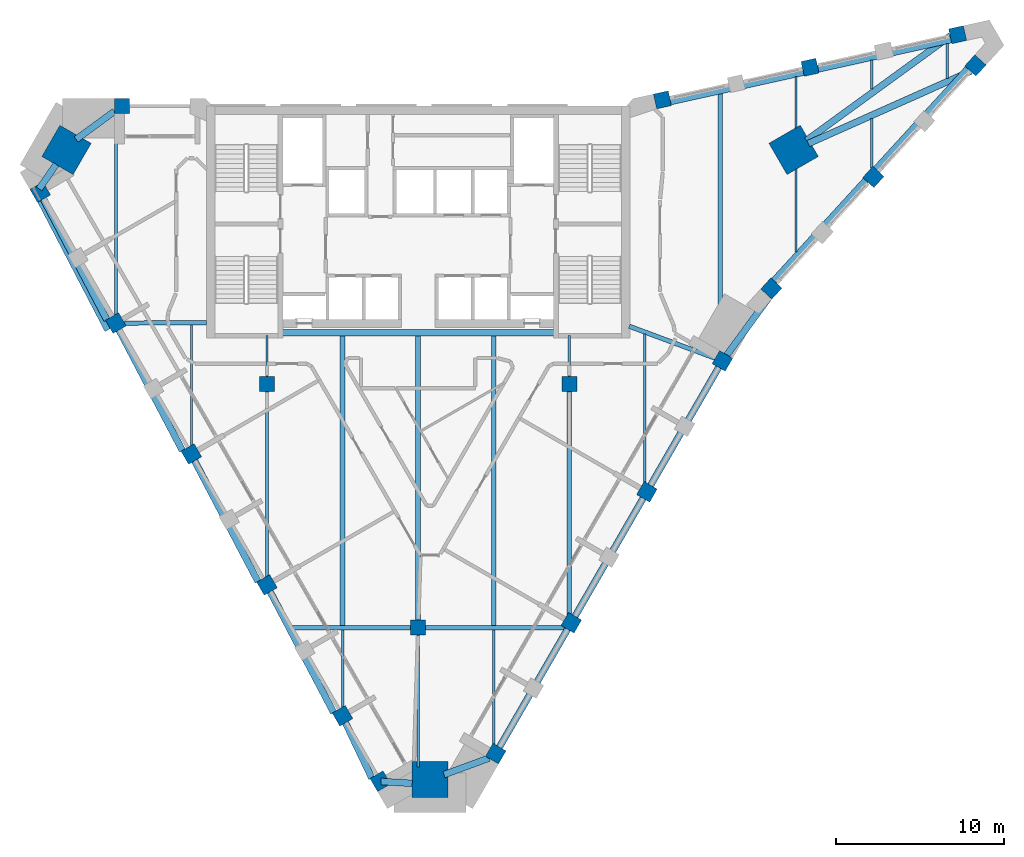
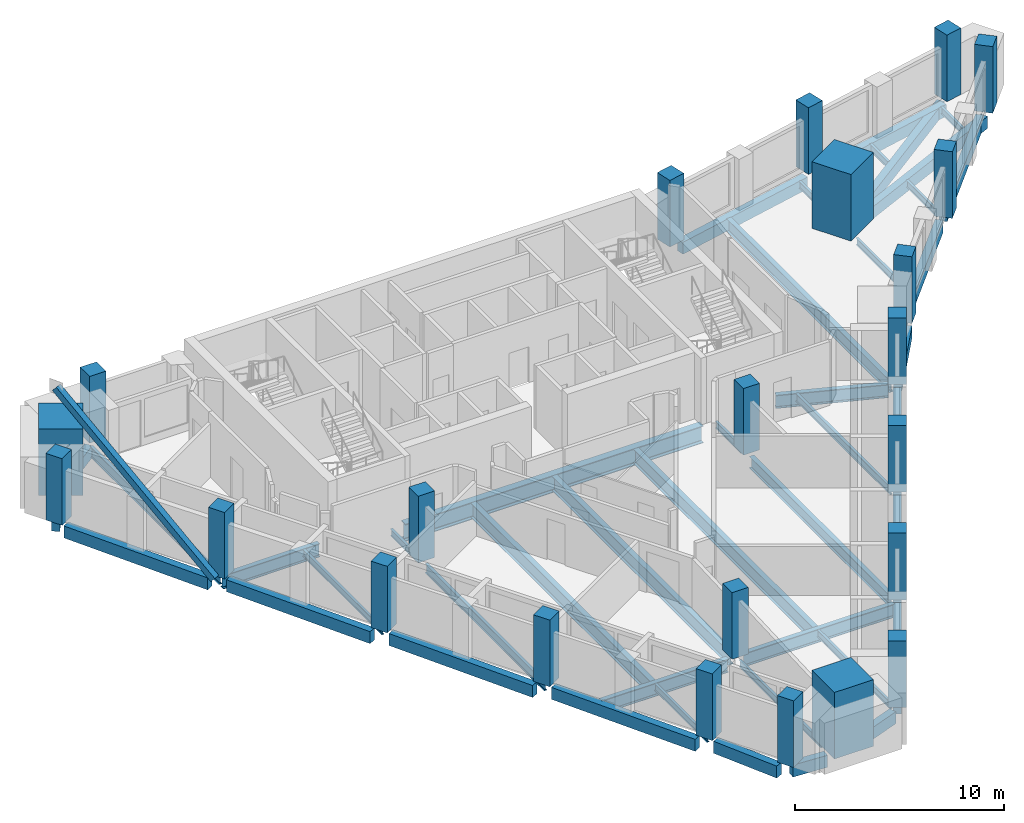
# One storey, part 1 of 8: 43 beams, 23 columns, 1 member.
"""IFC4 building model written with IfcOpenShell, lengths in metres."""

from ifc_helpers import new_model, si_unit, direction, frame, origin, origin_2d, place, context, subcontext, project, spatial, rectangle, hollow_rectangle, i_section, extrude, material, material_profile, profile_set, type_object, element, save


model = new_model("IFC4")

# Units and contexts
model_context = context("Model", 3, precision=1e-05, world=origin(), true_north=direction((0.0, 1.0)))
body_context = subcontext(model_context, "Body", "Model", "MODEL_VIEW")
ifc_project = project(units=[si_unit("LENGTHUNIT", "METRE"), si_unit("AREAUNIT", "SQUARE_METRE"), si_unit("VOLUMEUNIT", "CUBIC_METRE"), si_unit("PLANEANGLEUNIT", "RADIAN"), si_unit("MASSUNIT", "GRAM", prefix="KILO")], contexts=[model_context])

# Site, building, storey
site_placement = place(None, origin())
site = spatial("IfcSite", under=ifc_project, at=site_placement, CompositionType="ELEMENT")
building_placement = place(site_placement, origin())
building = spatial("IfcBuilding", under=site, at=building_placement, Name="Calabash Gate Tower", CompositionType="ELEMENT")
storey_placement = place(building_placement, frame((0.0, 0.0, 279.39990234375)))
storey = spatial("IfcBuildingStorey", under=building, at=storey_placement, Name="L67", CompositionType="ELEMENT", Elevation=279.39990234375)

# Columns
ifc_material_1 = material(Name="Concrete C60/75", Category="concrete")
ifc_material_profile_1 = material_profile(ifc_material_1, rectangle(XDim=0.89990234375, YDim=0.89990234375, at=origin_2d()))
ifc_profile_set_1 = profile_set([ifc_material_profile_1], Name="Concrete C60/75")
column_type_1 = type_object("IfcColumnType", Name="Interior column RC 900x900 Concrete C60/75", PredefinedType="COLUMN", material=ifc_profile_set_1)
for number, where, z_axis, x_axis, name in (
    (1, (-9.0, 2.5, 0.0), (0.0, 0.0, 1.0), (1.0, 0.0, 0.0), "Interior column L67 I0"),
    (2, (9.0, 2.5, 0.0), (0.0, 0.0, 1.0), (1.0, 0.0, 0.0), "Interior column L67 I1"),
    (3, (0.0, -12.0, 0.0), (0.0, 0.0, 1.0), (1.0, 0.0, 0.0), "Interior column L67 I2"),
):
    element("IfcColumn", number, at=place(storey_placement, frame(where, z_axis=z_axis, x_axis=x_axis)), inside=storey, type_object=column_type_1, Name=name, PredefinedType="COLUMN", context=body_context, shape_type="SweptSolid", body=[
        extrude(rectangle(XDim=0.89990234375, YDim=0.89990234375, at=origin_2d()), origin(), (0.0, 0.0, 1.0), 3.900146484375),
    ])
ifc_material_2 = material(Name="Concrete C60/75", Category="concrete")
ifc_material_profile_2 = material_profile(ifc_material_2, rectangle(XDim=2.14990234375, YDim=2.14990234375, at=origin_2d()))
ifc_profile_set_2 = profile_set([ifc_material_profile_2], Name="Concrete C60/75")
column_type_2 = type_object("IfcColumnType", Name="Mega column RC 2150x2150 Concrete C60/75", PredefinedType="COLUMN", material=ifc_profile_set_2)
for number, where, z_axis, x_axis, name in (
    (4, (-20.93994140625, 16.43994140625, 0.0), (0.0, 0.0, 1.0), (0.866025403784, -0.5, 0.0), "Mega column L67 NW"),
    (5, (22.35595703125, 16.43994140625, 0.0), (0.0, 0.0, 1.0), (-0.866025403784, -0.5, 0.0), "Mega column L67 NE"),
    (6, (0.7080078125, -21.055908203125, 0.0), (0.0, 0.0, 1.0), (0.0, 1.0, 0.0), "Mega column L67 S"),
):
    element("IfcColumn", number, at=place(storey_placement, frame(where, z_axis=z_axis, x_axis=x_axis)), inside=storey, type_object=column_type_2, Name=name, PredefinedType="COLUMN", context=body_context, shape_type="SweptSolid", body=[
        extrude(rectangle(XDim=2.14990234375, YDim=2.14990234375, at=origin_2d()), origin(), (0.0, 0.0, 1.0), 3.900146484375),
    ])
ifc_material_3 = material(Name="Concrete C50/60", Category="concrete")
ifc_material_profile_3 = material_profile(ifc_material_3, rectangle(XDim=0.89990234375, YDim=0.89990234375, at=origin_2d()))
ifc_profile_set_3 = profile_set([ifc_material_profile_3], Name="Concrete C50/60")
column_type_3 = type_object("IfcColumnType", Name="Perimeter column RC 900x900 Concrete C50/60", PredefinedType="COLUMN", material=ifc_profile_set_3)
for number, where, z_axis, x_axis, name in (
    (7, (-22.50390625, 13.923095703125, 0.0), (0.0, 0.0, 1.0), (0.499999984885, -0.866025412511, 0.0), "Perimeter column L67 P20"),
    (8, (-18.00390625, 6.1279296875, 0.0), (0.0, 0.0, 1.0), (0.499999984885, -0.866025412511, 0.0), "Perimeter column L67 P00"),
    (9, (-13.50390625, -1.666015625, 0.0), (0.0, 0.0, 1.0), (0.499999984885, -0.866025412511, 0.0), "Perimeter column L67 P01"),
    (10, (-9.00390625, -9.4599609375, 0.0), (0.0, 0.0, 1.0), (0.499999984885, -0.866025412511, 0.0), "Perimeter column L67 P02"),
    (11, (-4.50390625, -17.25390625, 0.0), (0.0, 0.0, 1.0), (0.499999984885, -0.866025412511, 0.0), "Perimeter column L67 P03"),
    (12, (-2.25390625, -21.152099609375, 0.0), (0.0, 0.0, 1.0), (0.499999984885, -0.866025412511, 0.0), "Perimeter column L67 P25"),
    (13, (4.618896484375, -19.507080078125, 0.0), (0.0, 0.0, 1.0), (0.5, 0.866025403784, 0.0), "Perimeter column L67 P08"),
    (14, (9.118896484375, -11.712890625, 0.0), (0.0, 0.0, 1.0), (0.5, 0.866025403784, 0.0), "Perimeter column L67 P09"),
    (15, (13.618896484375, -3.9189453125, 0.0), (0.0, 0.0, 1.0), (0.5, 0.866025403784, 0.0), "Perimeter column L67 P10"),
    (16, (18.118896484375, 3.876953125, 0.0), (0.0, 0.0, 1.0), (0.5, 0.866025403784, 0.0), "Perimeter column L67 P11"),
    (17, (21.031005859375, 8.18701171875, 0.0), (0.0, 0.0, 1.0), (0.67485604152, 0.737949404244, 0.0), "Perimeter column L67 P12"),
    (18, (27.10400390625, 14.825927734375, 0.0), (0.0, 0.0, 1.0), (0.67485604152, 0.737949404244, 0.0), "Perimeter column L67 P36"),
    (19, (33.177978515625, 21.468017578125, 0.0), (0.0, 0.0, 1.0), (0.67485604152, 0.737949404244, 0.0), "Perimeter column L67 P37"),
    (20, (32.12109375, 23.298095703125, 0.0), (0.0, 0.0, 1.0), (-0.976510951543, -0.215467773731, 0.0), "Perimeter column L67 P38"),
    (21, (23.3330078125, 21.35888671875, 0.0), (0.0, 0.0, 1.0), (-0.976510951543, -0.215467773731, 0.0), "Perimeter column L67 P39"),
    (22, (14.5439453125, 19.4189453125, 0.0), (0.0, 0.0, 1.0), (-0.976510951543, -0.215467773731, 0.0), "Perimeter column L67 P40"),
    (23, (-17.64404296875, 19.052978515625, 0.0), (0.0, 0.0, 1.0), (-1.0, 0.0, 0.0), "Perimeter column L67 P31"),
):
    element("IfcColumn", number, at=place(storey_placement, frame(where, z_axis=z_axis, x_axis=x_axis)), inside=storey, type_object=column_type_3, Name=name, PredefinedType="COLUMN", context=body_context, shape_type="SweptSolid", body=[
        extrude(rectangle(XDim=0.89990234375, YDim=0.89990234375, at=origin_2d()), origin(), (0.0, 0.0, 1.0), 3.900146484375),
    ])

# Beams
ifc_material_4 = material(Name="Concrete C50/60", Category="concrete")
ifc_material_profile_4 = material_profile(ifc_material_4, rectangle(XDim=0.39990234375, YDim=0.699951171875, at=origin_2d()))
ifc_profile_set_4 = profile_set([ifc_material_profile_4], Name="Concrete C50/60")
beam_type_1 = type_object("IfcBeamType", Name="Edge beam RC 400x700 Concrete C50/60", PredefinedType="BEAM", material=ifc_profile_set_4)
beam_1_placement = place(storey_placement, frame((-13.322021484375, -2.052978515625, -0.52001953125), z_axis=(0.465269928033, -0.885168850597, 0.0), x_axis=(0.885168850597, 0.465269928033, 0.0)))
element("IfcBeam", 24, at=beam_1_placement, inside=storey, type_object=beam_type_1, Name="Edge beam L67 1", PredefinedType="BEAM", context=body_context, shape_type="SweptSolid", body=[
    extrude(rectangle(XDim=0.39990234375, YDim=0.699951171875, at=origin_2d()), origin(), (0.0, 0.0, 1.0), 8.152099609375),
])
beam_2_placement = place(storey_placement, frame((-8.822021484375, -9.84912109375, -0.52001953125), z_axis=(0.465380955056, -0.885110482749, 0.0), x_axis=(0.885110482749, 0.465380955056, 0.0)))
element("IfcBeam", 25, at=beam_2_placement, inside=storey, type_object=beam_type_1, Name="Edge beam L67 2", PredefinedType="BEAM", context=body_context, shape_type="SweptSolid", body=[
    extrude(rectangle(XDim=0.39990234375, YDim=0.699951171875, at=origin_2d()), origin(), (0.0, 0.0, 1.0), 8.150146484375),
])
beam_3_placement = place(storey_placement, frame((-4.341064453125, -17.64306640625, -0.52001953125), z_axis=(0.43018109988, -0.902742610773, 0.0), x_axis=(0.902742610773, 0.43018109988, 0.0)))
element("IfcBeam", 26, at=beam_3_placement, inside=storey, type_object=beam_type_1, Name="Edge beam L67 3", PredefinedType="BEAM", context=body_context, shape_type="SweptSolid", body=[
    extrude(rectangle(XDim=0.39990234375, YDim=0.699951171875, at=origin_2d()), origin(), (0.0, 0.0, 1.0), 3.67529296875),
])
beam_4_placement = place(storey_placement, frame((-2.2099609375, -21.1630859375, -0.52001953125), z_axis=(0.998053600048, -0.062361938966, 0.0), x_axis=(0.062361938966, 0.998053600048, 0.0)))
element("IfcBeam", 27, at=beam_4_placement, inside=storey, type_object=beam_type_1, Name="Edge beam L67 4", PredefinedType="BEAM", context=body_context, shape_type="SweptSolid", body=[
    extrude(rectangle(XDim=0.39990234375, YDim=0.699951171875, at=origin_2d()), origin(), (0.0, 0.0, 1.0), 1.859619140625),
])
beam_5_placement = place(storey_placement, frame((1.537109375, -20.760009765625, -0.52001953125), z_axis=(0.938165166725, 0.346187983535, 0.0), x_axis=(-0.346187983535, 0.938165166725, 0.0)))
element("IfcBeam", 28, at=beam_5_placement, inside=storey, type_object=beam_type_1, Name="Edge beam L67 5", PredefinedType="BEAM", context=body_context, shape_type="SweptSolid", body=[
    extrude(rectangle(XDim=0.39990234375, YDim=0.699951171875, at=origin_2d()), origin(), (0.0, 0.0, 1.0), 2.859619140625),
])
beam_6_placement = place(storey_placement, frame((4.748046875, -19.283935546875, -0.52001953125), z_axis=(0.500002345008, 0.866024049889, 0.0), x_axis=(-0.866024049889, 0.500002345008, 0.0)))
element("IfcBeam", 29, at=beam_6_placement, inside=storey, type_object=beam_type_1, Name="Edge beam L67 6", PredefinedType="BEAM", context=body_context, shape_type="SweptSolid", body=[
    extrude(rectangle(XDim=0.39990234375, YDim=0.699951171875, at=origin_2d()), origin(), (0.0, 0.0, 1.0), 8.3056640625),
])
beam_7_placement = place(storey_placement, frame((9.248046875, -11.489990234375, -0.52001953125), z_axis=(0.499938710357, 0.866060786485, 0.0), x_axis=(-0.866060786485, 0.499938710357, 0.0)))
element("IfcBeam", 30, at=beam_7_placement, inside=storey, type_object=beam_type_1, Name="Edge beam L67 7", PredefinedType="BEAM", context=body_context, shape_type="SweptSolid", body=[
    extrude(rectangle(XDim=0.39990234375, YDim=0.699951171875, at=origin_2d()), origin(), (0.0, 0.0, 1.0), 8.306640625),
])
beam_8_placement = place(storey_placement, frame((13.748046875, -3.693115234375, -0.52001953125), z_axis=(0.5000914562, 0.865972595084, 0.0), x_axis=(-0.865972595084, 0.5000914562, 0.0)))
element("IfcBeam", 31, at=beam_8_placement, inside=storey, type_object=beam_type_1, Name="Edge beam L67 8", PredefinedType="BEAM", context=body_context, shape_type="SweptSolid", body=[
    extrude(rectangle(XDim=0.39990234375, YDim=0.699951171875, at=origin_2d()), origin(), (0.0, 0.0, 1.0), 8.30419921875),
])
beam_9_placement = place(storey_placement, frame((18.27392578125, 4.0869140625, -0.52001953125), z_axis=(0.591234072904, 0.806500013043, 0.0), x_axis=(-0.806500013043, 0.591234072904, 0.0)))
element("IfcBeam", 32, at=beam_9_placement, inside=storey, type_object=beam_type_1, Name="Edge beam L67 9", PredefinedType="BEAM", context=body_context, shape_type="SweptSolid", body=[
    extrude(rectangle(XDim=0.39990234375, YDim=0.699951171875, at=origin_2d()), origin(), (0.0, 0.0, 1.0), 4.4921875),
])
beam_10_placement = place(storey_placement, frame((21.18701171875, 8.652099609375, -0.52001953125), z_axis=(0.674873802315, 0.737933161573, 0.0), x_axis=(-0.737933161573, 0.674873802315, 0.0)))
element("IfcBeam", 33, at=beam_10_placement, inside=storey, type_object=beam_type_1, Name="Edge beam L67 10", PredefinedType="BEAM", context=body_context, shape_type="SweptSolid", body=[
    extrude(rectangle(XDim=0.39990234375, YDim=0.699951171875, at=origin_2d()), origin(), (0.0, 0.0, 1.0), 8.099365234375),
])
beam_11_placement = place(storey_placement, frame((27.260009765625, 15.29296875, -0.52001953125), z_axis=(0.67486440312, 0.737941757459, 0.0), x_axis=(-0.737941757459, 0.67486440312, 0.0)))
element("IfcBeam", 34, at=beam_11_placement, inside=storey, type_object=beam_type_1, Name="Edge beam L67 11", PredefinedType="BEAM", context=body_context, shape_type="SweptSolid", body=[
    extrude(rectangle(XDim=0.39990234375, YDim=0.699951171875, at=origin_2d()), origin(), (0.0, 0.0, 1.0), 8.100830078125),
])
beam_12_placement = place(storey_placement, frame((32.90087890625, 21.1259765625, -0.52001953125), z_axis=(-0.913459431006, -0.406929807099, 0.0), x_axis=(0.406929807099, -0.913459431006, 0.0)))
element("IfcBeam", 35, at=beam_12_placement, inside=storey, type_object=beam_type_1, Name="Edge beam L67 12", PredefinedType="BEAM", context=body_context, shape_type="SweptSolid", body=[
    extrude(rectangle(XDim=0.39990234375, YDim=0.699951171875, at=origin_2d()), origin(), (0.0, 0.0, 1.0), 10.58935546875),
])
beam_13_placement = place(storey_placement, frame((23.123046875, 16.9990234375, -0.52001953125), z_axis=(0.808643536425, 0.588298929965, 0.0), x_axis=(-0.588298929965, 0.808643536425, 0.0)))
element("IfcBeam", 36, at=beam_13_placement, inside=storey, type_object=beam_type_1, Name="Edge beam L67 13", PredefinedType="BEAM", context=body_context, shape_type="SweptSolid", body=[
    extrude(rectangle(XDim=0.39990234375, YDim=0.699951171875, at=origin_2d()), origin(), (0.0, 0.0, 1.0), 10.610107421875),
])
beam_14_placement = place(storey_placement, frame((31.72705078125, 23.006103515625, -0.52001953125), z_axis=(-0.976492437334, -0.215551663945, 0.0), x_axis=(0.215551663945, -0.976492437334, 0.0)))
element("IfcBeam", 37, at=beam_14_placement, inside=storey, type_object=beam_type_1, Name="Edge beam L67 14", PredefinedType="BEAM", context=body_context, shape_type="SweptSolid", body=[
    extrude(rectangle(XDim=0.39990234375, YDim=0.699951171875, at=origin_2d()), origin(), (0.0, 0.0, 1.0), 8.1005859375),
])
beam_15_placement = place(storey_placement, frame((22.93603515625, 21.06591796875, -0.52001953125), z_axis=(-0.976517152373, -0.215439669332, 0.0), x_axis=(0.215439669332, -0.976517152373, 0.0)))
element("IfcBeam", 38, at=beam_15_placement, inside=storey, type_object=beam_type_1, Name="Edge beam L67 15", PredefinedType="BEAM", context=body_context, shape_type="SweptSolid", body=[
    extrude(rectangle(XDim=0.39990234375, YDim=0.699951171875, at=origin_2d()), origin(), (0.0, 0.0, 1.0), 8.09912109375),
])
beam_16_placement = place(storey_placement, frame((-18.080078125, 18.739990234375, -0.52001953125), z_axis=(-0.806530843889, -0.591192014371, 0.0), x_axis=(0.591192014371, -0.806530843889, 0.0)))
element("IfcBeam", 39, at=beam_16_placement, inside=storey, type_object=beam_type_1, Name="Edge beam L67 16", PredefinedType="BEAM", context=body_context, shape_type="SweptSolid", body=[
    extrude(rectangle(XDim=0.39990234375, YDim=0.699951171875, at=origin_2d()), origin(), (0.0, 0.0, 1.0), 2.836669921875),
])
beam_17_placement = place(storey_placement, frame((-21.552978515625, 15.5791015625, -0.52001953125), z_axis=(-0.56906746362, -0.822290837751, 0.0), x_axis=(0.822290837751, -0.56906746362, 0.0)))
element("IfcBeam", 40, at=beam_17_placement, inside=storey, type_object=beam_type_1, Name="Edge beam L67 17", PredefinedType="BEAM", context=body_context, shape_type="SweptSolid", body=[
    extrude(rectangle(XDim=0.39990234375, YDim=0.699951171875, at=origin_2d()), origin(), (0.0, 0.0, 1.0), 1.78173828125),
])
beam_18_placement = place(storey_placement, frame((-22.322021484375, 13.532958984375, -0.52001953125), z_axis=(0.465430315058, -0.885084528068, 0.0), x_axis=(0.885084528068, 0.465430315058, 0.0)))
element("IfcBeam", 41, at=beam_18_placement, inside=storey, type_object=beam_type_1, Name="Edge beam L67 18", PredefinedType="BEAM", context=body_context, shape_type="SweptSolid", body=[
    extrude(rectangle(XDim=0.39990234375, YDim=0.699951171875, at=origin_2d()), origin(), (0.0, 0.0, 1.0), 8.1494140625),
])
beam_19_placement = place(storey_placement, frame((-17.822021484375, 5.739013671875, -0.52001953125), z_axis=(0.465479684083, -0.885058565128, 0.0), x_axis=(0.885058565128, 0.465479684083, 0.0)))
element("IfcBeam", 42, at=beam_19_placement, inside=storey, type_object=beam_type_1, Name="Edge beam L67 19", PredefinedType="BEAM", context=body_context, shape_type="SweptSolid", body=[
    extrude(rectangle(XDim=0.39990234375, YDim=0.699951171875, at=origin_2d()), origin(), (0.0, 0.0, 1.0), 8.1484375),
])
ifc_material_5 = material(Name="Steel ASTM A992 Gr50", Category="steel")
ifc_material_profile_5 = material_profile(ifc_material_5, i_section(OverallWidth=0.1396484375, OverallDepth=0.398681640625, WebThickness=0.00634765625, FlangeThickness=0.0087890625, FilletRadius=0.01025390625, at=origin_2d()))
ifc_profile_set_5 = profile_set([ifc_material_profile_5], Name="Steel ASTM A992 Gr50")
beam_type_2 = type_object("IfcBeamType", Name="Floor beam W16x26 ASTM A992 Gr50", PredefinedType="BEAM", material=ifc_profile_set_5)
beam_20_placement = place(storey_placement, frame((-13.5, -1.5830078125, -0.368896484375), z_axis=(0.0, 1.0, 0.0), x_axis=(-1.0, 0.0, 0.0)))
element("IfcBeam", 43, at=beam_20_placement, inside=storey, type_object=beam_type_2, Name="Floor beam L67 2", PredefinedType="BEAM", context=body_context, shape_type="SweptSolid", body=[
    extrude(i_section(OverallWidth=0.1396484375, OverallDepth=0.398681640625, WebThickness=0.00634765625, FlangeThickness=0.0087890625, FilletRadius=0.01025390625, at=origin_2d()), origin(), (0.0, 0.0, 1.0), 7.595947265625),
])
beam_21_placement = place(storey_placement, frame((-9.0, 2.949951171875, -0.368896484375), z_axis=(0.0, 1.0, 0.0), x_axis=(-1.0, 0.0, 0.0)))
element("IfcBeam", 44, at=beam_21_placement, inside=storey, type_object=beam_type_2, Name="Floor beam L67 4", PredefinedType="BEAM", context=body_context, shape_type="SweptSolid", body=[
    extrude(i_section(OverallWidth=0.1396484375, OverallDepth=0.398681640625, WebThickness=0.00634765625, FlangeThickness=0.0087890625, FilletRadius=0.01025390625, at=origin_2d()), origin(), (0.0, 0.0, 1.0), 2.453125),
])
beam_22_placement = place(storey_placement, frame((-4.5, -17.173095703125, -0.368896484375), z_axis=(0.0, 1.0, 0.0), x_axis=(-1.0, 0.0, 0.0)))
element("IfcBeam", 45, at=beam_22_placement, inside=storey, type_object=beam_type_2, Name="Floor beam L67 5", PredefinedType="BEAM", context=body_context, shape_type="SweptSolid", body=[
    extrude(i_section(OverallWidth=0.1396484375, OverallDepth=0.398681640625, WebThickness=0.00634765625, FlangeThickness=0.0087890625, FilletRadius=0.01025390625, at=origin_2d()), origin(), (0.0, 0.0, 1.0), 5.0400390625),
])
beam_23_placement = place(storey_placement, frame((0.0, -20.29296875, -0.368896484375), z_axis=(0.0, 1.0, 0.0), x_axis=(-1.0, 0.0, 0.0)))
element("IfcBeam", 46, at=beam_23_placement, inside=storey, type_object=beam_type_2, Name="Floor beam L67 7", PredefinedType="BEAM", context=body_context, shape_type="SweptSolid", body=[
    extrude(i_section(OverallWidth=0.1396484375, OverallDepth=0.398681640625, WebThickness=0.00634765625, FlangeThickness=0.0087890625, FilletRadius=0.01025390625, at=origin_2d()), origin(), (0.0, 0.0, 1.0), 7.843017578125),
])
beam_24_placement = place(storey_placement, frame((4.5, -19.153076171875, -0.368896484375), z_axis=(0.0, 1.0, 0.0), x_axis=(-1.0, 0.0, 0.0)))
element("IfcBeam", 47, at=beam_24_placement, inside=storey, type_object=beam_type_2, Name="Floor beam L67 9", PredefinedType="BEAM", context=body_context, shape_type="SweptSolid", body=[
    extrude(i_section(OverallWidth=0.1396484375, OverallDepth=0.398681640625, WebThickness=0.00634765625, FlangeThickness=0.0087890625, FilletRadius=0.01025390625, at=origin_2d()), origin(), (0.0, 0.0, 1.0), 7.02001953125),
])
beam_25_placement = place(storey_placement, frame((9.0, 2.949951171875, -0.368896484375), z_axis=(0.0, 1.0, 0.0), x_axis=(-1.0, 0.0, 0.0)))
element("IfcBeam", 48, at=beam_25_placement, inside=storey, type_object=beam_type_2, Name="Floor beam L67 12", PredefinedType="BEAM", context=body_context, shape_type="SweptSolid", body=[
    extrude(i_section(OverallWidth=0.1396484375, OverallDepth=0.398681640625, WebThickness=0.00634765625, FlangeThickness=0.0087890625, FilletRadius=0.01025390625, at=origin_2d()), origin(), (0.0, 0.0, 1.0), 2.453125),
])
beam_26_placement = place(storey_placement, frame((22.5, 10.3720703125, -0.368896484375), z_axis=(0.0, 1.0, 0.0), x_axis=(-1.0, 0.0, 0.0)))
element("IfcBeam", 49, at=beam_26_placement, inside=storey, type_object=beam_type_2, Name="Floor beam L67 15", PredefinedType="BEAM", context=body_context, shape_type="SweptSolid", body=[
    extrude(i_section(OverallWidth=0.1396484375, OverallDepth=0.398681640625, WebThickness=0.00634765625, FlangeThickness=0.0087890625, FilletRadius=0.01025390625, at=origin_2d()), origin(), (0.0, 0.0, 1.0), 4.94189453125),
])
beam_27_placement = place(storey_placement, frame((22.5, 17.73193359375, -0.368896484375), z_axis=(0.0, 1.0, 0.0), x_axis=(-1.0, 0.0, 0.0)))
element("IfcBeam", 50, at=beam_27_placement, inside=storey, type_object=beam_type_2, Name="Floor beam L67 16", PredefinedType="BEAM", context=body_context, shape_type="SweptSolid", body=[
    extrude(i_section(OverallWidth=0.1396484375, OverallDepth=0.398681640625, WebThickness=0.00634765625, FlangeThickness=0.0087890625, FilletRadius=0.01025390625, at=origin_2d()), origin(), (0.0, 0.0, 1.0), 3.065185546875),
])
beam_28_placement = place(storey_placement, frame((27.0, 15.35693359375, -0.368896484375), z_axis=(0.0, 1.0, 0.0), x_axis=(-1.0, 0.0, 0.0)))
element("IfcBeam", 51, at=beam_28_placement, inside=storey, type_object=beam_type_2, Name="Floor beam L67 17", PredefinedType="BEAM", context=body_context, shape_type="SweptSolid", body=[
    extrude(i_section(OverallWidth=0.1396484375, OverallDepth=0.398681640625, WebThickness=0.00634765625, FlangeThickness=0.0087890625, FilletRadius=0.01025390625, at=origin_2d()), origin(), (0.0, 0.0, 1.0), 2.943115234375),
])
beam_29_placement = place(storey_placement, frame((27.0, 20.053955078125, -0.368896484375), z_axis=(0.0, 1.0, 0.0), x_axis=(-1.0, 0.0, 0.0)))
element("IfcBeam", 52, at=beam_29_placement, inside=storey, type_object=beam_type_2, Name="Floor beam L67 18", PredefinedType="BEAM", context=body_context, shape_type="SweptSolid", body=[
    extrude(i_section(OverallWidth=0.1396484375, OverallDepth=0.398681640625, WebThickness=0.00634765625, FlangeThickness=0.0087890625, FilletRadius=0.01025390625, at=origin_2d()), origin(), (0.0, 0.0, 1.0), 1.736083984375),
])
beam_30_placement = place(storey_placement, frame((31.5, 20.697998046875, -0.368896484375), z_axis=(0.0, 1.0, 0.0), x_axis=(-1.0, 0.0, 0.0)))
element("IfcBeam", 53, at=beam_30_placement, inside=storey, type_object=beam_type_2, Name="Floor beam L67 19", PredefinedType="BEAM", context=body_context, shape_type="SweptSolid", body=[
    extrude(i_section(OverallWidth=0.1396484375, OverallDepth=0.398681640625, WebThickness=0.00634765625, FlangeThickness=0.0087890625, FilletRadius=0.01025390625, at=origin_2d()), origin(), (0.0, 0.0, 1.0), 2.0849609375),
])
ifc_material_6 = material(Name="Steel ASTM A992 Gr50", Category="steel")
ifc_material_profile_6 = material_profile(ifc_material_6, i_section(OverallWidth=0.15234375, OverallDepth=0.44970703125, WebThickness=0.007568359375, FlangeThickness=0.0107421875, FilletRadius=0.01025390625, at=origin_2d()))
ifc_profile_set_6 = profile_set([ifc_material_profile_6], Name="Steel ASTM A992 Gr50")
beam_type_3 = type_object("IfcBeamType", Name="Floor beam W18x35 ASTM A992 Gr50", PredefinedType="BEAM", material=ifc_profile_set_6)
beam_31_placement = place(storey_placement, frame((13.5, -3.56689453125, -0.392822265625), z_axis=(0.0, 1.0, 0.0), x_axis=(-1.0, 0.0, 0.0)))
element("IfcBeam", 54, at=beam_31_placement, inside=storey, type_object=beam_type_3, Name="Floor beam L67 13", PredefinedType="BEAM", context=body_context, shape_type="SweptSolid", body=[
    extrude(i_section(OverallWidth=0.15234375, OverallDepth=0.44970703125, WebThickness=0.007568359375, FlangeThickness=0.0107421875, FilletRadius=0.01025390625, at=origin_2d()), origin(), (0.0, 0.0, 1.0), 9.05078125),
])
ifc_material_7 = material(Name="Steel ASTM A992 Gr50", Category="steel")
ifc_material_profile_7 = material_profile(ifc_material_7, i_section(OverallWidth=0.166015625, OverallDepth=0.5283203125, WebThickness=0.009765625, FlangeThickness=0.013671875, FilletRadius=0.0126953125, at=origin_2d()))
ifc_profile_set_7 = profile_set([ifc_material_profile_7], Name="Steel ASTM A992 Gr50")
beam_type_4 = type_object("IfcBeamType", Name="Floor beam W21x50 ASTM A992 Gr50", PredefinedType="BEAM", material=ifc_profile_set_7)
beam_32_placement = place(storey_placement, frame((-9.0, -9.37890625, -0.433837890625), z_axis=(0.0, 1.0, 0.0), x_axis=(-1.0, 0.0, 0.0)))
element("IfcBeam", 55, at=beam_32_placement, inside=storey, type_object=beam_type_4, Name="Floor beam L67 3", PredefinedType="BEAM", context=body_context, shape_type="SweptSolid", body=[
    extrude(i_section(OverallWidth=0.166015625, OverallDepth=0.5283203125, WebThickness=0.009765625, FlangeThickness=0.013671875, FilletRadius=0.0126953125, at=origin_2d()), origin(), (0.0, 0.0, 1.0), 11.428955078125),
])
ifc_material_8 = material(Name="Steel ASTM A992 Gr50", Category="steel")
ifc_material_profile_8 = material_profile(ifc_material_8, i_section(OverallWidth=0.1787109375, OverallDepth=0.60205078125, WebThickness=0.010986328125, FlangeThickness=0.014892578125, FilletRadius=0.0126953125, at=origin_2d()))
ifc_profile_set_8 = profile_set([ifc_material_profile_8], Name="Steel ASTM A992 Gr50")
beam_type_5 = type_object("IfcBeamType", Name="Floor beam W24x62 ASTM A992 Gr50", PredefinedType="BEAM", material=ifc_profile_set_8)
beam_33_placement = place(storey_placement, frame((-18.0, 6.208984375, -0.470947265625), z_axis=(0.0, 1.0, 0.0), x_axis=(-1.0, 0.0, 0.0)))
element("IfcBeam", 56, at=beam_33_placement, inside=storey, type_object=beam_type_5, Name="Floor beam L67 1", PredefinedType="BEAM", context=body_context, shape_type="SweptSolid", body=[
    extrude(i_section(OverallWidth=0.1787109375, OverallDepth=0.60205078125, WebThickness=0.010986328125, FlangeThickness=0.014892578125, FilletRadius=0.0126953125, at=origin_2d()), origin(), (0.0, 0.0, 1.0), 12.373046875),
])
ifc_material_9 = material(Name="Steel ASTM A992 Gr50", Category="steel")
ifc_material_profile_9 = material_profile(ifc_material_9, i_section(OverallWidth=0.25390625, OverallDepth=0.67822265625, WebThickness=0.01171875, FlangeThickness=0.016357421875, FilletRadius=0.01513671875, at=origin_2d()))
ifc_profile_set_9 = profile_set([ifc_material_profile_9], Name="Steel ASTM A992 Gr50")
beam_type_6 = type_object("IfcBeamType", Name="Floor beam W27x84 ASTM A992 Gr50", PredefinedType="BEAM", material=ifc_profile_set_9)
beam_34_placement = place(storey_placement, frame((9.0, -11.361083984375, -0.5087890625), z_axis=(0.0, 1.0, 0.0), x_axis=(-1.0, 0.0, 0.0)))
element("IfcBeam", 57, at=beam_34_placement, inside=storey, type_object=beam_type_6, Name="Floor beam L67 11", PredefinedType="BEAM", context=body_context, shape_type="SweptSolid", body=[
    extrude(i_section(OverallWidth=0.25390625, OverallDepth=0.67822265625, WebThickness=0.01171875, FlangeThickness=0.016357421875, FilletRadius=0.01513671875, at=origin_2d()), origin(), (0.0, 0.0, 1.0), 13.4111328125),
])
ifc_material_10 = material(Name="Steel ASTM A992 Gr50", Category="steel")
ifc_material_profile_10 = material_profile(ifc_material_10, i_section(OverallWidth=0.2666015625, OverallDepth=0.7568359375, WebThickness=0.013916015625, FlangeThickness=0.019287109375, FilletRadius=0.0166015625, at=origin_2d()))
ifc_profile_set_10 = profile_set([ifc_material_profile_10], Name="Steel ASTM A992 Gr50")
beam_type_7 = type_object("IfcBeamType", Name="Floor beam W30x108 ASTM A992 Gr50", PredefinedType="BEAM", material=ifc_profile_set_10)
beam_35_placement = place(storey_placement, frame((18.0, 4.22705078125, -0.5478515625), z_axis=(0.0, 1.0, 0.0), x_axis=(-1.0, 0.0, 0.0)))
element("IfcBeam", 58, at=beam_35_placement, inside=storey, type_object=beam_type_7, Name="Floor beam L67 14", PredefinedType="BEAM", context=body_context, shape_type="SweptSolid", body=[
    extrude(i_section(OverallWidth=0.2666015625, OverallDepth=0.7568359375, WebThickness=0.013916015625, FlangeThickness=0.019287109375, FilletRadius=0.0166015625, at=origin_2d()), origin(), (0.0, 0.0, 1.0), 15.576904296875),
])
ifc_material_11 = material(Name="Steel ASTM A992 Gr50", Category="steel")
ifc_material_profile_11 = material_profile(ifc_material_11, i_section(OverallWidth=0.2919921875, OverallDepth=0.845703125, WebThickness=0.015380859375, FlangeThickness=0.0244140625, FilletRadius=0.017822265625, at=origin_2d()))
ifc_profile_set_11 = profile_set([ifc_material_profile_11], Name="Steel ASTM A992 Gr50")
beam_type_8 = type_object("IfcBeamType", Name="Floor beam W33x141 ASTM A992 Gr50", PredefinedType="BEAM", material=ifc_profile_set_11)
beam_36_placement = place(storey_placement, frame((-4.5, -11.866943359375, -0.593017578125), z_axis=(0.0, 1.0, 0.0), x_axis=(-1.0, 0.0, 0.0)))
element("IfcBeam", 59, at=beam_36_placement, inside=storey, type_object=beam_type_8, Name="Floor beam L67 6", PredefinedType="BEAM", context=body_context, shape_type="SweptSolid", body=[
    extrude(i_section(OverallWidth=0.2919921875, OverallDepth=0.845703125, WebThickness=0.015380859375, FlangeThickness=0.0244140625, FilletRadius=0.017822265625, at=origin_2d()), origin(), (0.0, 0.0, 1.0), 17.218994140625),
])
beam_37_placement = place(storey_placement, frame((0.0, -11.550048828125, -0.593017578125), z_axis=(0.0, 1.0, 0.0), x_axis=(-1.0, 0.0, 0.0)))
element("IfcBeam", 60, at=beam_37_placement, inside=storey, type_object=beam_type_8, Name="Floor beam L67 8", PredefinedType="BEAM", context=body_context, shape_type="SweptSolid", body=[
    extrude(i_section(OverallWidth=0.2919921875, OverallDepth=0.845703125, WebThickness=0.015380859375, FlangeThickness=0.0244140625, FilletRadius=0.017822265625, at=origin_2d()), origin(), (0.0, 0.0, 1.0), 16.902099609375),
])
beam_38_placement = place(storey_placement, frame((4.5, -11.866943359375, -0.593017578125), z_axis=(0.0, 1.0, 0.0), x_axis=(-1.0, 0.0, 0.0)))
element("IfcBeam", 61, at=beam_38_placement, inside=storey, type_object=beam_type_8, Name="Floor beam L67 10", PredefinedType="BEAM", context=body_context, shape_type="SweptSolid", body=[
    extrude(i_section(OverallWidth=0.2919921875, OverallDepth=0.845703125, WebThickness=0.015380859375, FlangeThickness=0.0244140625, FilletRadius=0.017822265625, at=origin_2d()), origin(), (0.0, 0.0, 1.0), 17.218994140625),
])
ifc_material_12 = material(Name="Steel ASTM A992 Gr50", Category="steel")
ifc_material_profile_12 = material_profile(ifc_material_12, i_section(OverallWidth=0.2666015625, OverallDepth=0.77978515625, WebThickness=0.0166015625, FlangeThickness=0.030029296875, FilletRadius=0.0166015625, at=origin_2d()))
ifc_profile_set_12 = profile_set([ifc_material_profile_12], Name="Steel ASTM A992 Gr50")
beam_type_9 = type_object("IfcBeamType", Name="Girder W30x148 ASTM A992 Gr50", PredefinedType="BEAM", material=ifc_profile_set_12)
beam_39_placement = place(storey_placement, frame((-17.968017578125, 6.1279296875, -0.559814453125), z_axis=(0.999991622439, 0.004093293583, 0.0), x_axis=(-0.004093293583, 0.999991622439, 0.0)))
element("IfcBeam", 62, at=beam_39_placement, inside=storey, type_object=beam_type_9, Name="Girder L67 2", PredefinedType="BEAM", context=body_context, shape_type="SweptSolid", body=[
    extrude(i_section(OverallWidth=0.2666015625, OverallDepth=0.77978515625, WebThickness=0.0166015625, FlangeThickness=0.030029296875, FilletRadius=0.0166015625, at=origin_2d()), origin(), (0.0, 0.0, 1.0), 5.367919921875),
])
beam_40_placement = place(storey_placement, frame((17.7119140625, 4.027099609375, -0.559814453125), z_axis=(-0.937245864841, 0.348669168179, 0.0), x_axis=(-0.348669168179, -0.937245864841, 0.0)))
element("IfcBeam", 63, at=beam_40_placement, inside=storey, type_object=beam_type_9, Name="Girder L67 3", PredefinedType="BEAM", context=body_context, shape_type="SweptSolid", body=[
    extrude(i_section(OverallWidth=0.2666015625, OverallDepth=0.77978515625, WebThickness=0.0166015625, FlangeThickness=0.030029296875, FilletRadius=0.0166015625, at=origin_2d()), origin(), (0.0, 0.0, 1.0), 5.486083984375),
])
beam_41_placement = place(storey_placement, frame((-7.488037109375, -12.0, -0.559814453125), z_axis=(1.0, 0.0, 0.0), x_axis=(0.0, 1.0, 0.0)))
element("IfcBeam", 64, at=beam_41_placement, inside=storey, type_object=beam_type_9, Name="Girder L67 4", PredefinedType="BEAM", context=body_context, shape_type="SweptSolid", body=[
    extrude(i_section(OverallWidth=0.2666015625, OverallDepth=0.77978515625, WebThickness=0.0166015625, FlangeThickness=0.030029296875, FilletRadius=0.0166015625, at=origin_2d()), origin(), (0.0, 0.0, 1.0), 7.0380859375),
])
beam_42_placement = place(storey_placement, frame((0.449951171875, -12.0, -0.559814453125), z_axis=(1.0, 0.0, 0.0), x_axis=(0.0, 1.0, 0.0)))
element("IfcBeam", 65, at=beam_42_placement, inside=storey, type_object=beam_type_9, Name="Girder L67 5", PredefinedType="BEAM", context=body_context, shape_type="SweptSolid", body=[
    extrude(i_section(OverallWidth=0.2666015625, OverallDepth=0.77978515625, WebThickness=0.0166015625, FlangeThickness=0.030029296875, FilletRadius=0.0166015625, at=origin_2d()), origin(), (0.0, 0.0, 1.0), 8.2861328125),
])
ifc_material_13 = material(Name="Steel ASTM A992 Gr50", Category="steel")
ifc_material_profile_13 = material_profile(ifc_material_13, i_section(OverallWidth=0.4013671875, OverallDepth=1.000732421875, WebThickness=0.01904296875, FlangeThickness=0.0361328125, FilletRadius=0.030029296875, at=origin_2d()))
ifc_profile_set_13 = profile_set([ifc_material_profile_13], Name="Steel ASTM A992 Gr50")
beam_type_10 = type_object("IfcBeamType", Name="Girder W40x249 ASTM A992 Gr50", PredefinedType="BEAM", material=ifc_profile_set_13)
beam_43_placement = place(storey_placement, frame((-8.25, 5.552978515625, -0.669921875), z_axis=(1.0, 0.0, 0.0), x_axis=(0.0, 1.0, 0.0)))
element("IfcBeam", 66, at=beam_43_placement, inside=storey, type_object=beam_type_10, Name="Girder L67 1", PredefinedType="BEAM", context=body_context, shape_type="SweptSolid", body=[
    extrude(i_section(OverallWidth=0.4013671875, OverallDepth=1.000732421875, WebThickness=0.01904296875, FlangeThickness=0.0361328125, FilletRadius=0.030029296875, at=origin_2d()), origin(), (0.0, 0.0, 1.0), 16.5),
])

# Member
ifc_material_14 = material(Name="Steel ASTM A500 Gr C", Category="steel")
ifc_material_profile_14 = material_profile(ifc_material_14, hollow_rectangle(XDim=0.355712890625, YDim=0.355712890625, WallThickness=0.015869140625, at=origin_2d()))
ifc_profile_set_14 = profile_set([ifc_material_profile_14], Name="Steel ASTM A500 Gr C")
member_type = type_object("IfcMemberType", Name="Mega-brace HSS14X14X.625 ASTM A500 Gr C", PredefinedType="BRACE", material=ifc_profile_set_14)
member_placement = place(storey_placement, frame((-18.5478515625, 5.814453125, 0.0), z_axis=(-0.348914300023, 0.670661227066, 0.654577978357), x_axis=(-0.887124489862, -0.461530215139, 0.0)))
element("IfcMember", 67, at=member_placement, inside=storey, type_object=member_type, Name="Mega-brace SW Z5 41", PredefinedType="BRACE", context=body_context, shape_type="SweptSolid", body=[
    extrude(hollow_rectangle(XDim=0.355712890625, YDim=0.355712890625, WallThickness=0.015869140625, at=origin_2d()), origin(), (0.0, 0.0, 1.0), 11.916259765625),
])

save(model, "model.ifc")
